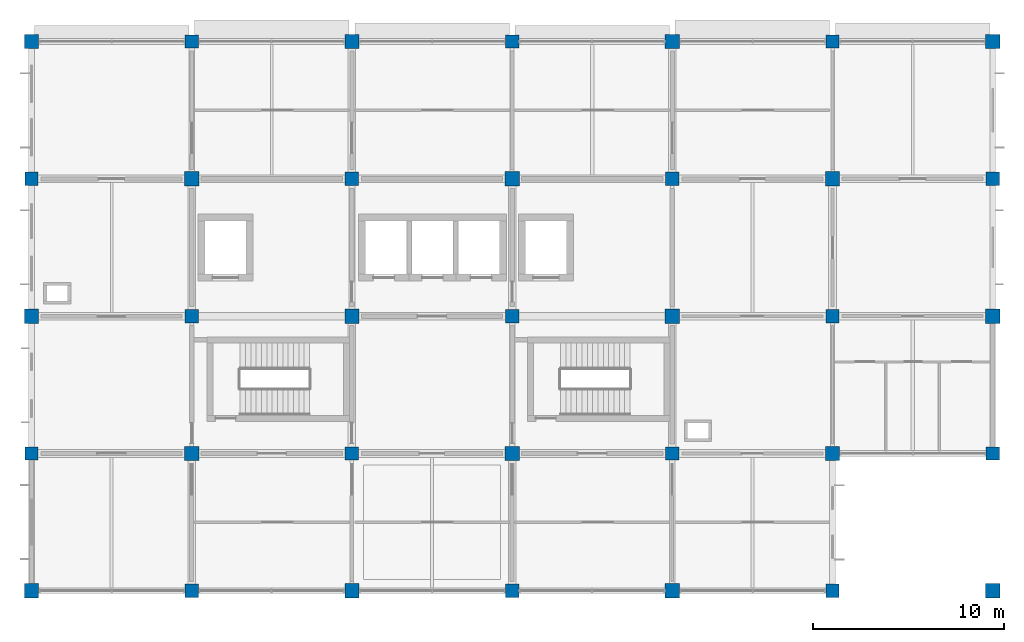
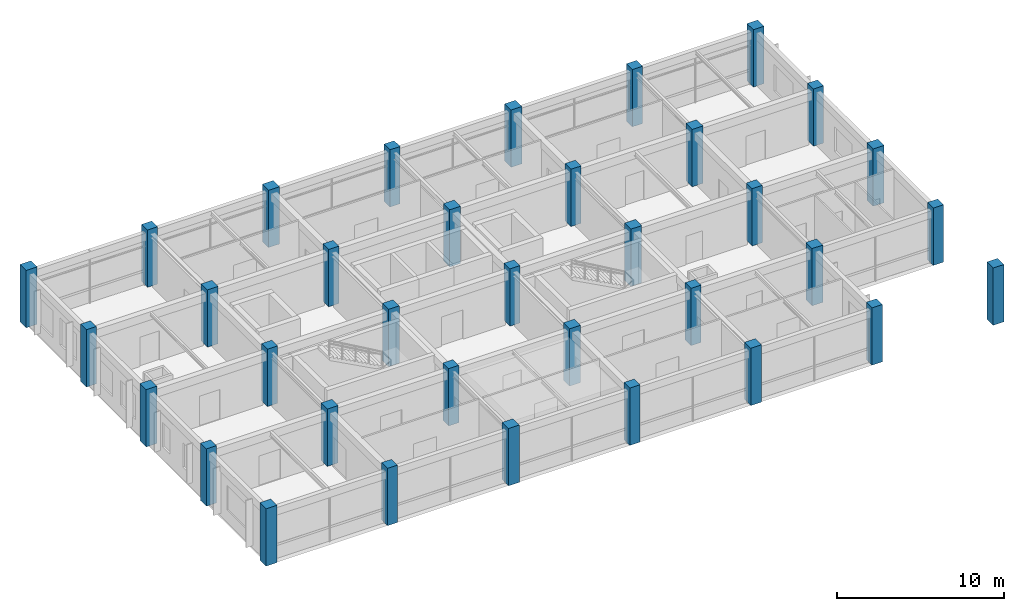
# One storey, part 1 of 13: 35 columns.
"""IFC4 building model written with IfcOpenShell, lengths in metres."""

from ifc_helpers import new_model, si_unit, derived_unit, direction, frame, origin, origin_2d, place, context, subcontext, project, spatial, rectangle, extrude, material, material_profile, profile_set, type_object, element, save


model = new_model("IFC4")

# Units and contexts
model_context = context("Model", 3, precision=1e-05, world=origin(), true_north=direction((0.0, 1.0)))
body_context = subcontext(model_context, "Body", "Model", "MODEL_VIEW")
ifc_project = project(units=[si_unit("LENGTHUNIT", "METRE"), si_unit("AREAUNIT", "SQUARE_METRE"), si_unit("VOLUMEUNIT", "CUBIC_METRE"), si_unit("PLANEANGLEUNIT", "RADIAN"), si_unit("MASSUNIT", "GRAM", prefix="KILO"), derived_unit("THERMALTRANSMITTANCEUNIT", [(si_unit("MASSUNIT", "GRAM", prefix="KILO"), 1), (si_unit("TIMEUNIT", "SECOND"), -3), (si_unit("THERMODYNAMICTEMPERATUREUNIT", "KELVIN"), -1)])], contexts=[model_context])

# Site, building, storey
site_placement = place(None, origin())
site = spatial("IfcSite", under=ifc_project, at=site_placement, CompositionType="ELEMENT")
building_placement = place(site_placement, origin())
building = spatial("IfcBuilding", under=site, at=building_placement, Name="Veldstrom Oceanarium and Marine Research Institute", CompositionType="ELEMENT")
storey_placement = place(building_placement, frame((0.0, 0.0, 39.60009765625)))
storey = spatial("IfcBuildingStorey", under=building, at=storey_placement, Name="L08", CompositionType="ELEMENT", Elevation=39.60009765625)

# Columns
ifc_material_1 = material(Name="Concrete C50/60", Category="concrete")
ifc_material_profile_1 = material_profile(ifc_material_1, rectangle(XDim=0.75, YDim=0.75, at=origin_2d()), Name="RC-COL-750x750")
ifc_profile_set_1 = profile_set([ifc_material_profile_1], Name="Concrete C50/60")
column_type_1 = type_object("IfcColumnType", Name="STR-COL-C05", PredefinedType="COLUMN", material=ifc_profile_set_1)
for number, where, z_axis, x_axis, name in (
    (1, (67.199951171875, 43.199951171875, 0.0), (0.0, 0.0, 1.0), (1.0, 0.0, 0.0), "Column C05 9/G L08"),
    (2, (67.199951171875, 57.60009765625, 0.0), (0.0, 0.0, 1.0), (1.0, 0.0, 0.0), "Column C05 9/J L08"),
    (3, (67.199951171875, 72.0, 0.0), (0.0, 0.0, 1.0), (1.0, 0.0, 0.0), "Column C05 9/L L08"),
    (4, (75.60009765625, 50.39990234375, 0.0), (0.0, 0.0, 1.0), (1.0, 0.0, 0.0), "Column C05 10/H L08"),
    (5, (75.60009765625, 64.800048828125, 0.0), (0.0, 0.0, 1.0), (1.0, 0.0, 0.0), "Column C05 10/K L08"),
    (6, (84.0, 43.199951171875, 0.0), (0.0, 0.0, 1.0), (1.0, 0.0, 0.0), "Column C05 11/G L08"),
    (7, (84.0, 57.60009765625, 0.0), (0.0, 0.0, 1.0), (1.0, 0.0, 0.0), "Column C05 11/J L08"),
    (8, (84.0, 72.0, 0.0), (0.0, 0.0, 1.0), (1.0, 0.0, 0.0), "Column C05 11/L L08"),
    (9, (92.39990234375, 50.39990234375, 0.0), (0.0, 0.0, 1.0), (1.0, 0.0, 0.0), "Column C05 12/H L08"),
    (10, (92.39990234375, 64.800048828125, 0.0), (0.0, 0.0, 1.0), (1.0, 0.0, 0.0), "Column C05 12/K L08"),
    (11, (100.800048828125, 43.199951171875, 0.0), (0.0, 0.0, 1.0), (1.0, 0.0, 0.0), "Column C05 13/G L08"),
    (12, (100.800048828125, 57.60009765625, 0.0), (0.0, 0.0, 1.0), (1.0, 0.0, 0.0), "Column C05 13/J L08"),
    (13, (100.800048828125, 72.0, 0.0), (0.0, 0.0, 1.0), (1.0, 0.0, 0.0), "Column C05 13/L L08"),
    (14, (109.199951171875, 50.39990234375, 0.0), (0.0, 0.0, 1.0), (1.0, 0.0, 0.0), "Column C05 14/H L08"),
    (15, (109.199951171875, 64.800048828125, 0.0), (0.0, 0.0, 1.0), (1.0, 0.0, 0.0), "Column C05 14/K L08"),
    (16, (117.60009765625, 43.199951171875, 0.0), (0.0, 0.0, 1.0), (1.0, 0.0, 0.0), "Column C05 15/G L08"),
    (17, (117.60009765625, 57.60009765625, 0.0), (0.0, 0.0, 1.0), (1.0, 0.0, 0.0), "Column C05 15/J L08"),
    (18, (117.60009765625, 72.0, 0.0), (0.0, 0.0, 1.0), (1.0, 0.0, 0.0), "Column C05 15/L L08"),
):
    element("IfcColumn", number, at=place(storey_placement, frame(where, z_axis=z_axis, x_axis=x_axis)), inside=storey, type_object=column_type_1, Name=name, PredefinedType="COLUMN", context=body_context, shape_type="SweptSolid", body=[
        extrude(rectangle(XDim=0.75, YDim=0.75, at=origin_2d()), origin(), (0.0, 0.0, 1.0), 4.199951171875),
    ])
ifc_material_2 = material(Name="Concrete C50/60", Category="concrete")
ifc_material_profile_2 = material_profile(ifc_material_2, rectangle(XDim=0.699951171875, YDim=0.699951171875, at=origin_2d()), Name="RC-COL-700x700")
ifc_profile_set_2 = profile_set([ifc_material_profile_2], Name="Concrete C50/60")
column_type_2 = type_object("IfcColumnType", Name="STR-COL-C06", PredefinedType="COLUMN", material=ifc_profile_set_2)
for number, where, z_axis, x_axis, name in (
    (19, (67.199951171875, 50.39990234375, 0.0), (0.0, 0.0, 1.0), (1.0, 0.0, 0.0), "Column C06 9/H L08"),
    (20, (67.199951171875, 64.800048828125, 0.0), (0.0, 0.0, 1.0), (1.0, 0.0, 0.0), "Column C06 9/K L08"),
    (21, (75.60009765625, 43.199951171875, 0.0), (0.0, 0.0, 1.0), (1.0, 0.0, 0.0), "Column C06 10/G L08"),
    (22, (75.60009765625, 57.60009765625, 0.0), (0.0, 0.0, 1.0), (1.0, 0.0, 0.0), "Column C06 10/J L08"),
    (23, (75.60009765625, 72.0, 0.0), (0.0, 0.0, 1.0), (1.0, 0.0, 0.0), "Column C06 10/L L08"),
    (24, (84.0, 50.39990234375, 0.0), (0.0, 0.0, 1.0), (1.0, 0.0, 0.0), "Column C06 11/H L08"),
    (25, (84.0, 64.800048828125, 0.0), (0.0, 0.0, 1.0), (1.0, 0.0, 0.0), "Column C06 11/K L08"),
    (26, (92.39990234375, 43.199951171875, 0.0), (0.0, 0.0, 1.0), (1.0, 0.0, 0.0), "Column C06 12/G L08"),
    (27, (92.39990234375, 57.60009765625, 0.0), (0.0, 0.0, 1.0), (1.0, 0.0, 0.0), "Column C06 12/J L08"),
    (28, (92.39990234375, 72.0, 0.0), (0.0, 0.0, 1.0), (1.0, 0.0, 0.0), "Column C06 12/L L08"),
    (29, (100.800048828125, 50.39990234375, 0.0), (0.0, 0.0, 1.0), (1.0, 0.0, 0.0), "Column C06 13/H L08"),
    (30, (100.800048828125, 64.800048828125, 0.0), (0.0, 0.0, 1.0), (1.0, 0.0, 0.0), "Column C06 13/K L08"),
    (31, (109.199951171875, 43.199951171875, 0.0), (0.0, 0.0, 1.0), (1.0, 0.0, 0.0), "Column C06 14/G L08"),
    (32, (109.199951171875, 57.60009765625, 0.0), (0.0, 0.0, 1.0), (1.0, 0.0, 0.0), "Column C06 14/J L08"),
    (33, (109.199951171875, 72.0, 0.0), (0.0, 0.0, 1.0), (1.0, 0.0, 0.0), "Column C06 14/L L08"),
    (34, (117.60009765625, 50.39990234375, 0.0), (0.0, 0.0, 1.0), (1.0, 0.0, 0.0), "Column C06 15/H L08"),
    (35, (117.60009765625, 64.800048828125, 0.0), (0.0, 0.0, 1.0), (1.0, 0.0, 0.0), "Column C06 15/K L08"),
):
    element("IfcColumn", number, at=place(storey_placement, frame(where, z_axis=z_axis, x_axis=x_axis)), inside=storey, type_object=column_type_2, Name=name, PredefinedType="COLUMN", context=body_context, shape_type="SweptSolid", body=[
        extrude(rectangle(XDim=0.699951171875, YDim=0.699951171875, at=origin_2d()), origin(), (0.0, 0.0, 1.0), 4.199951171875),
    ])

save(model, "model.ifc")
